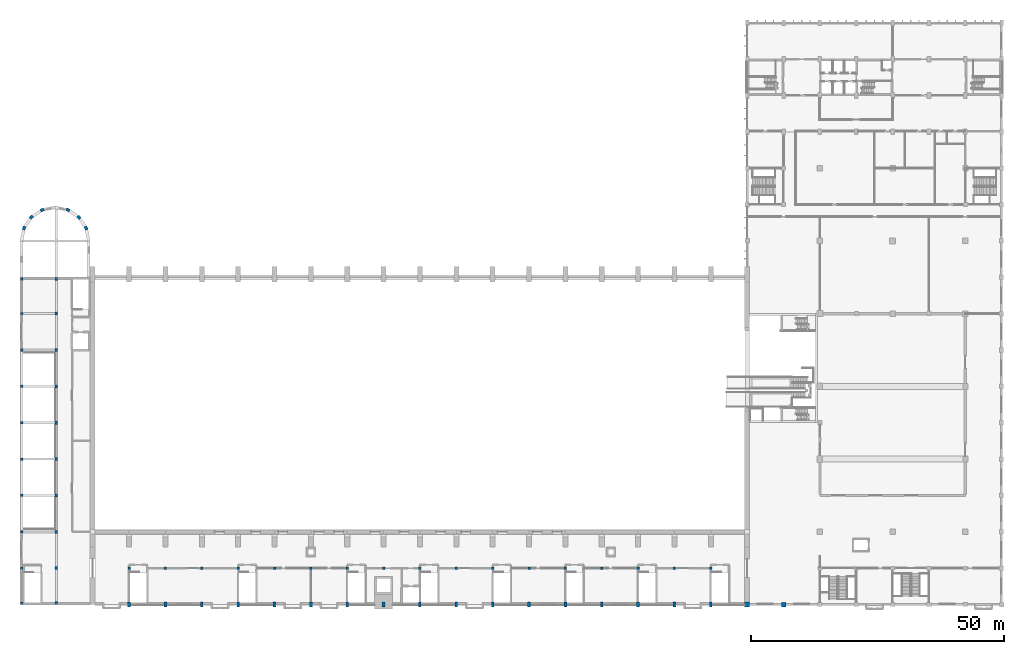
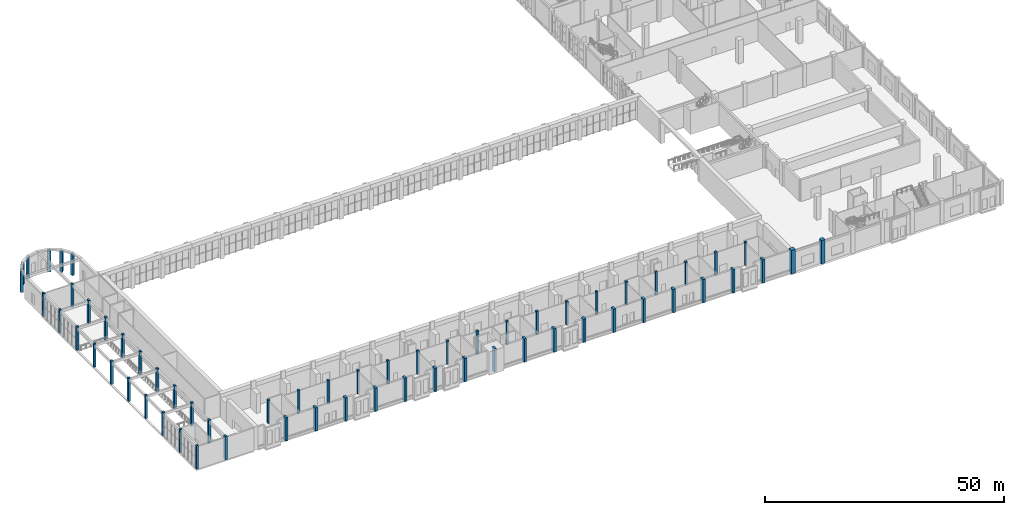
# One storey, part 1 of 44: 62 columns.
"""IFC4 building model written with IfcOpenShell, lengths in metres."""

import ifcopenshell
import ifcopenshell.guid

model = None  # the IFC model being written
_history = None  # IfcOwnerHistory: only IFC2X3 demands one
_inside = {}  # id of a spatial element -> (the spatial element, [elements in it])
_under = {}  # id of a project, library or spatial element -> (it, [spatial elements below it])
_declared = {}  # id of a project -> (the project, [libraries it declares])
_typed = {}  # id of a type object -> (the type object, [elements of that type])
_made_of = {}  # id of a material, layer set ... -> (it, [elements and type objects made of it])


def new_model(schema):
    """Start an empty IFC model of exactly this schema.

    Asked for "IFC4X3", IfcOpenShell would pick the latest addendum, in which some entities
    have other attributes; the version numbers below select the first issue.
    IFC2X3 requires an IfcOwnerHistory on every rooted entity: one is made here for all.
    """
    global model, _history
    if schema == "IFC4X3":
        model = ifcopenshell.file(schema_version=(4, 3, 0, 0))
    else:
        model = ifcopenshell.file(schema=schema)
    _inside.clear()
    _under.clear()
    _declared.clear()
    _typed.clear()
    _made_of.clear()
    _history = None
    if model.schema == "IFC2X3":
        org = make("IfcOrganization", Name="unknown")
        user = make(
            "IfcPersonAndOrganization",
            ThePerson=make("IfcPerson", FamilyName="unknown"),
            TheOrganization=org,
        )
        app = make(
            "IfcApplication",
            ApplicationDeveloper=org,
            Version="unknown",
            ApplicationFullName="unknown",
            ApplicationIdentifier="unknown",
        )
        _history = make(
            "IfcOwnerHistory",
            OwningUser=user,
            OwningApplication=app,
            ChangeAction="ADDED",
            CreationDate=0,
        )
    return model


def make(cls, **values):
    """One entity of the class cls with the attributes given. An attribute that is None is left unset."""
    return model.create_entity(
        cls, **{name: value for name, value in values.items() if value is not None}
    )


def rooted(cls, **values):
    """An entity with a GlobalId (a new one), such as an element, a storey or a relation."""
    return make(cls, GlobalId=ifcopenshell.guid.new(), OwnerHistory=_history, **values)


def si_unit(unit_type, name, prefix=None):
    """IfcSIUnit, for example si_unit("LENGTHUNIT", "METRE", prefix="MILLI")."""
    return make("IfcSIUnit", UnitType=unit_type, Prefix=prefix, Name=name)


def assignment(units):
    """IfcUnitAssignment: the units of a project."""
    return None if units is None else make("IfcUnitAssignment", Units=units)


def point(xyz):
    """IfcCartesianPoint."""
    return None if xyz is None else make("IfcCartesianPoint", Coordinates=xyz)


def direction(xyz):
    """IfcDirection."""
    return None if xyz is None else make("IfcDirection", DirectionRatios=xyz)


def frame(location, z_axis=None, x_axis=None):
    """IfcAxis2Placement3D, a coordinate frame: its origin and axes. An axis left out is left unset."""
    return make(
        "IfcAxis2Placement3D",
        Location=point(location),
        Axis=direction(z_axis),
        RefDirection=direction(x_axis),
    )


def frame_2d(location, x_axis=None):
    """IfcAxis2Placement2D, a coordinate frame in the plane: its origin and x axis."""
    return make(
        "IfcAxis2Placement2D", Location=point(location), RefDirection=direction(x_axis)
    )


def origin():
    """The frame at (0, 0, 0) with its axes left unset."""
    return frame((0.0, 0.0, 0.0))


def origin_2d():
    """The frame at (0, 0) in the plane with its x axis left unset."""
    return frame_2d((0.0, 0.0))


def place(relative_to, where):
    """IfcLocalPlacement: puts the frame where relative to a parent placement (None: the world)."""
    return make(
        "IfcLocalPlacement", PlacementRelTo=relative_to, RelativePlacement=where
    )


def context(
    kind, dimensions, precision=None, world=None, true_north=None, identifier=None
):
    """IfcGeometricRepresentationContext, for example the 3D "Model" context."""
    return make(
        "IfcGeometricRepresentationContext",
        ContextIdentifier=identifier,
        ContextType=kind,
        CoordinateSpaceDimension=dimensions,
        Precision=precision,
        WorldCoordinateSystem=world,
        TrueNorth=true_north,
    )


def subcontext(parent, identifier, kind, view, scale=None):
    """IfcGeometricRepresentationSubContext, for example "Body" below "Model"."""
    return make(
        "IfcGeometricRepresentationSubContext",
        ContextIdentifier=identifier,
        ContextType=kind,
        ParentContext=parent,
        TargetScale=scale,
        TargetView=view,
    )


def project(units=None, contexts=None):
    """IfcProject with its units and contexts."""
    return rooted(
        "IfcProject",
        Name="project",
        RepresentationContexts=contexts,
        UnitsInContext=assignment(units),
    )


def spatial(cls, under=None, at=None, **own):
    """A site, building, storey or space (cls), placed at a placement, below another one or the project."""
    s = rooted(cls, ObjectPlacement=at, **own)
    if under is not None:
        _under.setdefault(under.id(), (under, []))[1].append(s)
    return s


def profile(cls, at=None, kind="AREA", **sizes):
    """A parametric profile (cls). Its sizes go by their IFC names, for example OverallWidth=200.0."""
    return make(cls, ProfileType=kind, Position=at, **sizes)


def rectangle(**sizes):
    """IfcRectangleProfileDef."""
    return profile("IfcRectangleProfileDef", **sizes)


def extrude(swept, where, along, depth):
    """IfcExtrudedAreaSolid: the profile swept, set in the frame where, extruded along a direction by depth."""
    return make(
        "IfcExtrudedAreaSolid",
        SweptArea=swept,
        Position=where,
        ExtrudedDirection=direction(along),
        Depth=depth,
    )


def shape(context_of_items, identifier, shape_type, items):
    """IfcShapeRepresentation: the items that make up one representation, for example the "Body"."""
    return make(
        "IfcShapeRepresentation",
        ContextOfItems=context_of_items,
        RepresentationIdentifier=identifier,
        RepresentationType=shape_type,
        Items=items,
    )


def material(Name=None, Category=None):
    """IfcMaterial."""
    return make("IfcMaterial", Name=Name, Category=Category)


def material_profile(
    of_material, cross_section, Name=None, Category=None, Priority=None
):
    """IfcMaterialProfile: a cross section and its material."""
    return make(
        "IfcMaterialProfile",
        Name=Name,
        Material=of_material,
        Profile=cross_section,
        Priority=Priority,
        Category=Category,
    )


def profile_set(profiles, Name=None, composite=None):
    """IfcMaterialProfileSet."""
    return make(
        "IfcMaterialProfileSet",
        Name=Name,
        MaterialProfiles=profiles,
        CompositeProfile=composite,
    )


def made_of(thing, what):
    """Note that an element or type object is made of a material, layer set ...; save() writes the relation."""
    if what is not None:
        _made_of.setdefault(what.id(), (what, []))[1].append(thing)
    return thing


def type_object(cls, material=None, **own):
    """A type object (cls), such as IfcWallType, which elements share."""
    return made_of(rooted(cls, **own), material)


def element(
    cls,
    number,
    at=None,
    inside=None,
    cuts=None,
    type_object=None,
    material=None,
    context=None,
    identifier="Body",
    shape_type=None,
    held_by="IfcProductDefinitionShape",
    body=None,
    shapes=None,
    **own,
):
    """One element of the class cls, such as IfcWall. Its Tag is "e" and its number.

    at: its placement. inside: the storey or other place that contains it. cuts: it is an
    opening in that element (IfcRelVoidsElement). A single representation is given by context,
    identifier, shape_type and body (its items); several are given by shapes. held_by: the class
    of the entity that holds the representations. save() writes the other relations.
    """
    e = rooted(cls, Tag="e%d" % number, ObjectPlacement=at, **own)
    if body is not None:
        shapes = [shape(context, identifier, shape_type, body)]
    if shapes is not None:
        e.Representation = make(held_by, Representations=shapes)
    if inside is not None:
        _inside.setdefault(inside.id(), (inside, []))[1].append(e)
    if cuts is not None:
        rooted(
            "IfcRelVoidsElement", RelatingBuildingElement=cuts, RelatedOpeningElement=e
        )
    if type_object is not None:
        _typed.setdefault(type_object.id(), (type_object, []))[1].append(e)
    return made_of(e, material)


def aggregate(whole, parts):
    """IfcRelAggregates: a whole, such as a stair, and the parts it consists of."""
    return rooted("IfcRelAggregates", RelatingObject=whole, RelatedObjects=parts)


def save(model, path):
    """Write the relations noted so far, then the file.

    IfcRelAggregates (storeys below a building ...), IfcRelContainedInSpatialStructure (elements
    in a storey), IfcRelDefinesByType, IfcRelAssociatesMaterial and IfcRelDeclares: one each for
    every whole, place, type object, material and project.
    """
    for whole, parts in _under.values():
        aggregate(whole, parts)
    for where, things in _inside.values():
        rooted(
            "IfcRelContainedInSpatialStructure",
            RelatedElements=things,
            RelatingStructure=where,
        )
    for kind, things in _typed.values():
        rooted("IfcRelDefinesByType", RelatedObjects=things, RelatingType=kind)
    for what, things in _made_of.values():
        rooted("IfcRelAssociatesMaterial", RelatedObjects=things, RelatingMaterial=what)
    for by, libraries in _declared.values():
        rooted("IfcRelDeclares", RelatingContext=by, RelatedDefinitions=libraries)
    model.write(path)


model = new_model("IFC4")

# Units and contexts
model_context = context("Model", 3, precision=1e-05, world=origin(), true_north=direction((0.0, 1.0)))
body_context = subcontext(model_context, "Body", "Model", "MODEL_VIEW")
ifc_project = project(units=[si_unit("LENGTHUNIT", "METRE"), si_unit("AREAUNIT", "SQUARE_METRE"), si_unit("VOLUMEUNIT", "CUBIC_METRE"), si_unit("PLANEANGLEUNIT", "RADIAN"), si_unit("MASSUNIT", "GRAM", prefix="KILO")], contexts=[model_context])

# Site, building, storey
site_placement = place(None, origin())
site = spatial("IfcSite", under=ifc_project, at=site_placement, CompositionType="ELEMENT")
building_placement = place(site_placement, origin())
building = spatial("IfcBuilding", under=site, at=building_placement, Name="Vermilion Court Aquatics Centre", CompositionType="ELEMENT")
storey_placement = place(building_placement, frame((0.0, 0.0, 6.0)))
storey = spatial("IfcBuildingStorey", under=building, at=storey_placement, Name="L01", CompositionType="ELEMENT", Elevation=6.0)

# Columns
ifc_material_1 = material(Name="Concrete 5000 psi", Category="concrete")
ifc_material_profile_1 = material_profile(ifc_material_1, rectangle(XDim=0.5, YDim=0.5, at=origin_2d()), Name="RC 500x500")
ifc_profile_set_1 = profile_set([ifc_material_profile_1], Name="Concrete 5000 psi")
column_type_1 = type_object("IfcColumnType", Name="Foyer column RC 500x500", PredefinedType="COLUMN", material=ifc_profile_set_1)
for number, where, z_axis, x_axis, name in (
    (1, (0.300048828125, 0.300048828125, 0.0), (0.0, 0.0, 1.0), (1.0, 0.0, 0.0), "Foyer column 1"),
    (2, (0.300048828125, 21.60009765625, 0.0), (0.0, 0.0, 1.0), (1.0, 0.0, 0.0), "Foyer column 4"),
    (3, (0.300048828125, 28.800048828125, 0.0), (0.0, 0.0, 1.0), (1.0, 0.0, 0.0), "Foyer column 5"),
    (4, (0.300048828125, 36.0, 0.0), (0.0, 0.0, 1.0), (1.0, 0.0, 0.0), "Foyer column 6"),
    (5, (0.300048828125, 43.199951171875, 0.0), (0.0, 0.0, 1.0), (1.0, 0.0, 0.0), "Foyer column 7"),
):
    element("IfcColumn", number, at=place(storey_placement, frame(where, z_axis=z_axis, x_axis=x_axis)), inside=storey, type_object=column_type_1, Name=name, PredefinedType="COLUMN", context=body_context, shape_type="SweptSolid", body=[
        extrude(rectangle(XDim=0.5, YDim=0.5, at=origin_2d()), origin(), (0.0, 0.0, 1.0), 6.0),
    ])
ifc_material_2 = material(Name="Concrete 5000 psi", Category="concrete")
ifc_material_profile_2 = material_profile(ifc_material_2, rectangle(XDim=0.5, YDim=0.550048828125, at=origin_2d()), Name="RC 500x550")
ifc_profile_set_2 = profile_set([ifc_material_profile_2], Name="Concrete 5000 psi")
column_type_2 = type_object("IfcColumnType", Name="Foyer column RC 500x550", PredefinedType="COLUMN", material=ifc_profile_set_2)
for number, where, z_axis, x_axis, name in (
    (6, (0.300048828125, 7.199951171875, 0.0), (0.0, 0.0, 1.0), (1.0, 0.0, 0.0), "Foyer column 2"),
    (7, (0.300048828125, 14.39990234375, 0.0), (0.0, 0.0, 1.0), (1.0, 0.0, 0.0), "Foyer column 3"),
    (8, (0.300048828125, 50.39990234375, 0.0), (0.0, 0.0, 1.0), (1.0, 0.0, 0.0), "Foyer column 8"),
    (9, (0.300048828125, 57.60009765625, 0.0), (0.0, 0.0, 1.0), (1.0, 0.0, 0.0), "Foyer column 9"),
    (10, (0.300048828125, 64.47509765625, 0.0), (0.0, 0.0, 1.0), (1.0, 0.0, 0.0), "Foyer column 10"),
    (11, (7.199951171875, 64.47509765625, 0.0), (0.0, 0.0, 1.0), (1.0, 0.0, 0.0), "Foyer column 20"),
):
    element("IfcColumn", number, at=place(storey_placement, frame(where, z_axis=z_axis, x_axis=x_axis)), inside=storey, type_object=column_type_2, Name=name, PredefinedType="COLUMN", context=body_context, shape_type="SweptSolid", body=[
        extrude(rectangle(XDim=0.5, YDim=0.550048828125, at=origin_2d()), origin(), (0.0, 0.0, 1.0), 6.0),
    ])
ifc_material_3 = material(Name="Concrete 5000 psi", Category="concrete")
ifc_material_profile_3 = material_profile(ifc_material_3, rectangle(XDim=0.5, YDim=0.60009765625, at=origin_2d()), Name="RC 500x600")
ifc_profile_set_3 = profile_set([ifc_material_profile_3], Name="Concrete 5000 psi")
column_type_3 = type_object("IfcColumnType", Name="Foyer column RC 500x600", PredefinedType="COLUMN", material=ifc_profile_set_3)
for number, where, z_axis, x_axis, name in (
    (12, (7.199951171875, 0.300048828125, 0.0), (0.0, 0.0, 1.0), (1.0, 0.0, 0.0), "Foyer column 11"),
    (13, (7.199951171875, 7.199951171875, 0.0), (0.0, 0.0, 1.0), (1.0, 0.0, 0.0), "Foyer column 12"),
    (14, (7.199951171875, 14.39990234375, 0.0), (0.0, 0.0, 1.0), (1.0, 0.0, 0.0), "Foyer column 13"),
    (15, (7.199951171875, 21.60009765625, 0.0), (0.0, 0.0, 1.0), (1.0, 0.0, 0.0), "Foyer column 14"),
    (16, (7.199951171875, 28.800048828125, 0.0), (0.0, 0.0, 1.0), (1.0, 0.0, 0.0), "Foyer column 15"),
    (17, (7.199951171875, 36.0, 0.0), (0.0, 0.0, 1.0), (1.0, 0.0, 0.0), "Foyer column 16"),
    (18, (7.199951171875, 43.199951171875, 0.0), (0.0, 0.0, 1.0), (1.0, 0.0, 0.0), "Foyer column 17"),
    (19, (7.199951171875, 50.39990234375, 0.0), (0.0, 0.0, 1.0), (1.0, 0.0, 0.0), "Foyer column 18"),
    (20, (7.199951171875, 57.60009765625, 0.0), (0.0, 0.0, 1.0), (1.0, 0.0, 0.0), "Foyer column 19"),
):
    element("IfcColumn", number, at=place(storey_placement, frame(where, z_axis=z_axis, x_axis=x_axis)), inside=storey, type_object=column_type_3, Name=name, PredefinedType="COLUMN", context=body_context, shape_type="SweptSolid", body=[
        extrude(rectangle(XDim=0.5, YDim=0.60009765625, at=origin_2d()), origin(), (0.0, 0.0, 1.0), 6.0),
    ])
ifc_material_4 = material(Name="Concrete 5000 psi", Category="concrete")
ifc_material_profile_4 = material_profile(ifc_material_4, rectangle(XDim=1.0, YDim=1.0, at=origin_2d()), Name="RC 1000x1000")
ifc_profile_set_4 = profile_set([ifc_material_profile_4], Name="Concrete 5000 psi")
column_type_4 = type_object("IfcColumnType", Name="Podium corner column RC 1000x1000", PredefinedType="COLUMN", material=ifc_profile_set_4)
column_1_placement = place(storey_placement, frame((144.0, 0.0, 0.0), z_axis=(0.0, 0.0, 1.0), x_axis=(1.0, 0.0, 0.0)))
element("IfcColumn", 21, at=column_1_placement, inside=storey, type_object=column_type_4, Name="Column 21/A", PredefinedType="COLUMN", context=body_context, shape_type="SweptSolid", body=[
    extrude(rectangle(XDim=1.0, YDim=1.0, at=origin_2d()), origin(), (0.0, 0.0, 1.0), 6.0),
])
ifc_material_5 = material(Name="Concrete 5000 psi", Category="concrete")
ifc_material_profile_5 = material_profile(ifc_material_5, rectangle(XDim=0.89990234375, YDim=0.89990234375, at=origin_2d()), Name="RC 900x900")
ifc_profile_set_5 = profile_set([ifc_material_profile_5], Name="Concrete 5000 psi")
column_type_5 = type_object("IfcColumnType", Name="Podium facade column RC 900x900", PredefinedType="COLUMN", material=ifc_profile_set_5)
column_2_placement = place(storey_placement, frame((151.199951171875, 0.0, 0.0), z_axis=(0.0, 0.0, 1.0), x_axis=(1.0, 0.0, 0.0)))
element("IfcColumn", 22, at=column_2_placement, inside=storey, type_object=column_type_5, Name="Column 22/A", PredefinedType="COLUMN", context=body_context, shape_type="SweptSolid", body=[
    extrude(rectangle(XDim=0.89990234375, YDim=0.89990234375, at=origin_2d()), origin(), (0.0, 0.0, 1.0), 6.0),
])
ifc_material_6 = material(Name="Concrete 5000 psi", Category="concrete")
ifc_material_profile_6 = material_profile(ifc_material_6, rectangle(XDim=0.60009765625, YDim=0.699951171875, at=origin_2d()), Name="RC 600x700")
ifc_profile_set_6 = profile_set([ifc_material_profile_6], Name="Concrete 5000 psi")
column_type_6 = type_object("IfcColumnType", Name="Rotunda pier column RC 600x700", PredefinedType="COLUMN", material=ifc_profile_set_6)
for number, where, z_axis, x_axis, name in (
    (23, (0.8115234375, 74.54248046875, 0.0), (0.0, 0.0, 1.0), (-0.923879532511, 0.382683432365, 0.0), "Rotunda pier"),
    (24, (2.251953125, 76.697998046875, 0.0), (0.0, 0.0, 1.0), (-0.707106781187, 0.707106781187, 0.0), "Rotunda pier"),
    (25, (4.407470703125, 78.138427734375, 0.0), (0.0, 0.0, 1.0), (-0.382683432365, 0.923879532511, 0.0), "Rotunda pier"),
    (26, (9.49267578125, 78.138427734375, 0.0), (0.0, 0.0, 1.0), (0.382683432365, 0.923879532511, 0.0), "Rotunda pier"),
    (27, (11.648193359375, 76.697998046875, 0.0), (0.0, 0.0, 1.0), (0.707106781187, 0.707106781187, 0.0), "Rotunda pier"),
    (28, (13.08837890625, 74.54248046875, 0.0), (0.0, 0.0, 1.0), (0.923879532511, 0.382683432365, 0.0), "Rotunda pier"),
):
    element("IfcColumn", number, at=place(storey_placement, frame(where, z_axis=z_axis, x_axis=x_axis)), inside=storey, type_object=column_type_6, Name=name, PredefinedType="COLUMN", context=body_context, shape_type="SweptSolid", body=[
        extrude(rectangle(XDim=0.60009765625, YDim=0.699951171875, at=origin_2d()), origin(), (0.0, 0.0, 1.0), 5.35009765625),
    ])
ifc_material_7 = material(Name="Concrete 5000 psi", Category="concrete")
ifc_material_profile_7 = material_profile(ifc_material_7, rectangle(XDim=0.5, YDim=0.5, at=origin_2d()), Name="RC 500x500")
ifc_profile_set_7 = profile_set([ifc_material_profile_7], Name="Concrete 5000 psi")
column_type_7 = type_object("IfcColumnType", Name="South column RC 500x500", PredefinedType="COLUMN", material=ifc_profile_set_7)
for number, where, z_axis, x_axis, name in (
    (29, (21.60009765625, 7.199951171875, 0.0), (0.0, 0.0, 1.0), (1.0, 0.0, 0.0), "Column B1"),
    (30, (28.800048828125, 7.199951171875, 0.0), (0.0, 0.0, 1.0), (1.0, 0.0, 0.0), "Column B2"),
    (31, (36.0, 7.199951171875, 0.0), (0.0, 0.0, 1.0), (1.0, 0.0, 0.0), "Column B3"),
    (32, (43.199951171875, 7.199951171875, 0.0), (0.0, 0.0, 1.0), (1.0, 0.0, 0.0), "Column B4"),
    (33, (50.39990234375, 7.199951171875, 0.0), (0.0, 0.0, 1.0), (1.0, 0.0, 0.0), "Column B5"),
    (34, (57.60009765625, 7.199951171875, 0.0), (0.0, 0.0, 1.0), (1.0, 0.0, 0.0), "Column B6"),
    (35, (64.800048828125, 7.199951171875, 0.0), (0.0, 0.0, 1.0), (1.0, 0.0, 0.0), "Column B7"),
    (36, (72.0, 7.199951171875, 0.0), (0.0, 0.0, 1.0), (1.0, 0.0, 0.0), "Column B8"),
    (37, (79.199951171875, 7.199951171875, 0.0), (0.0, 0.0, 1.0), (1.0, 0.0, 0.0), "Column B9"),
    (38, (86.39990234375, 7.199951171875, 0.0), (0.0, 0.0, 1.0), (1.0, 0.0, 0.0), "Column B10"),
    (39, (93.60009765625, 7.199951171875, 0.0), (0.0, 0.0, 1.0), (1.0, 0.0, 0.0), "Column B11"),
    (40, (100.800048828125, 7.199951171875, 0.0), (0.0, 0.0, 1.0), (1.0, 0.0, 0.0), "Column B12"),
    (41, (108.0, 7.199951171875, 0.0), (0.0, 0.0, 1.0), (1.0, 0.0, 0.0), "Column B13"),
    (42, (115.199951171875, 7.199951171875, 0.0), (0.0, 0.0, 1.0), (1.0, 0.0, 0.0), "Column B14"),
    (43, (122.39990234375, 7.199951171875, 0.0), (0.0, 0.0, 1.0), (1.0, 0.0, 0.0), "Column B15"),
    (44, (129.60009765625, 7.199951171875, 0.0), (0.0, 0.0, 1.0), (1.0, 0.0, 0.0), "Column B16"),
    (45, (136.800048828125, 7.199951171875, 0.0), (0.0, 0.0, 1.0), (1.0, 0.0, 0.0), "Column B17"),
):
    element("IfcColumn", number, at=place(storey_placement, frame(where, z_axis=z_axis, x_axis=x_axis)), inside=storey, type_object=column_type_7, Name=name, PredefinedType="COLUMN", context=body_context, shape_type="SweptSolid", body=[
        extrude(rectangle(XDim=0.5, YDim=0.5, at=origin_2d()), origin(), (0.0, 0.0, 1.0), 6.0),
    ])
ifc_material_8 = material(Name="Concrete 5000 psi", Category="concrete")
ifc_material_profile_8 = material_profile(ifc_material_8, rectangle(XDim=0.5, YDim=1.0, at=origin_2d()), Name="RC 500x1000")
ifc_profile_set_8 = profile_set([ifc_material_profile_8], Name="Concrete 5000 psi")
column_type_8 = type_object("IfcColumnType", Name="South pier RC 500x1000", PredefinedType="COLUMN", material=ifc_profile_set_8)
column_3_placement = place(storey_placement, frame((79.199951171875, 0.050048828125, 0.0), z_axis=(0.0, 0.0, 1.0), x_axis=(1.0, 0.0, 0.0)))
element("IfcColumn", 46, at=column_3_placement, inside=storey, type_object=column_type_8, Name="Column A9", PredefinedType="COLUMN", context=body_context, shape_type="SweptSolid", body=[
    extrude(rectangle(XDim=0.5, YDim=1.0, at=origin_2d()), origin(), (0.0, 0.0, 1.0), 6.0),
])
ifc_material_9 = material(Name="Concrete 5000 psi", Category="concrete")
ifc_material_profile_9 = material_profile(ifc_material_9, rectangle(XDim=0.550048828125, YDim=1.0, at=origin_2d()), Name="RC 550x1000")
ifc_profile_set_9 = profile_set([ifc_material_profile_9], Name="Concrete 5000 psi")
column_type_9 = type_object("IfcColumnType", Name="South pier RC 550x1000", PredefinedType="COLUMN", material=ifc_profile_set_9)
for number, where, z_axis, x_axis, name in (
    (47, (21.60009765625, 0.050048828125, 0.0), (0.0, 0.0, 1.0), (1.0, 0.0, 0.0), "Column A1"),
    (48, (28.800048828125, 0.050048828125, 0.0), (0.0, 0.0, 1.0), (1.0, 0.0, 0.0), "Column A2"),
    (49, (36.0, 0.050048828125, 0.0), (0.0, 0.0, 1.0), (1.0, 0.0, 0.0), "Column A3"),
    (50, (43.199951171875, 0.050048828125, 0.0), (0.0, 0.0, 1.0), (1.0, 0.0, 0.0), "Column A4"),
    (51, (50.39990234375, 0.050048828125, 0.0), (0.0, 0.0, 1.0), (1.0, 0.0, 0.0), "Column A5"),
    (52, (57.60009765625, 0.050048828125, 0.0), (0.0, 0.0, 1.0), (1.0, 0.0, 0.0), "Column A6"),
    (53, (64.800048828125, 0.050048828125, 0.0), (0.0, 0.0, 1.0), (1.0, 0.0, 0.0), "Column A7"),
    (54, (72.0, 0.050048828125, 0.0), (0.0, 0.0, 1.0), (1.0, 0.0, 0.0), "Column A8"),
    (55, (86.39990234375, 0.050048828125, 0.0), (0.0, 0.0, 1.0), (1.0, 0.0, 0.0), "Column A10"),
    (56, (93.60009765625, 0.050048828125, 0.0), (0.0, 0.0, 1.0), (1.0, 0.0, 0.0), "Column A11"),
    (57, (100.800048828125, 0.050048828125, 0.0), (0.0, 0.0, 1.0), (1.0, 0.0, 0.0), "Column A12"),
    (58, (108.0, 0.050048828125, 0.0), (0.0, 0.0, 1.0), (1.0, 0.0, 0.0), "Column A13"),
    (59, (115.199951171875, 0.050048828125, 0.0), (0.0, 0.0, 1.0), (1.0, 0.0, 0.0), "Column A14"),
    (60, (122.39990234375, 0.050048828125, 0.0), (0.0, 0.0, 1.0), (1.0, 0.0, 0.0), "Column A15"),
    (61, (129.60009765625, 0.050048828125, 0.0), (0.0, 0.0, 1.0), (1.0, 0.0, 0.0), "Column A16"),
    (62, (136.800048828125, 0.050048828125, 0.0), (0.0, 0.0, 1.0), (1.0, 0.0, 0.0), "Column A17"),
):
    element("IfcColumn", number, at=place(storey_placement, frame(where, z_axis=z_axis, x_axis=x_axis)), inside=storey, type_object=column_type_9, Name=name, PredefinedType="COLUMN", context=body_context, shape_type="SweptSolid", body=[
        extrude(rectangle(XDim=0.550048828125, YDim=1.0, at=origin_2d()), origin(), (0.0, 0.0, 1.0), 6.0),
    ])

save(model, "model.ifc")
